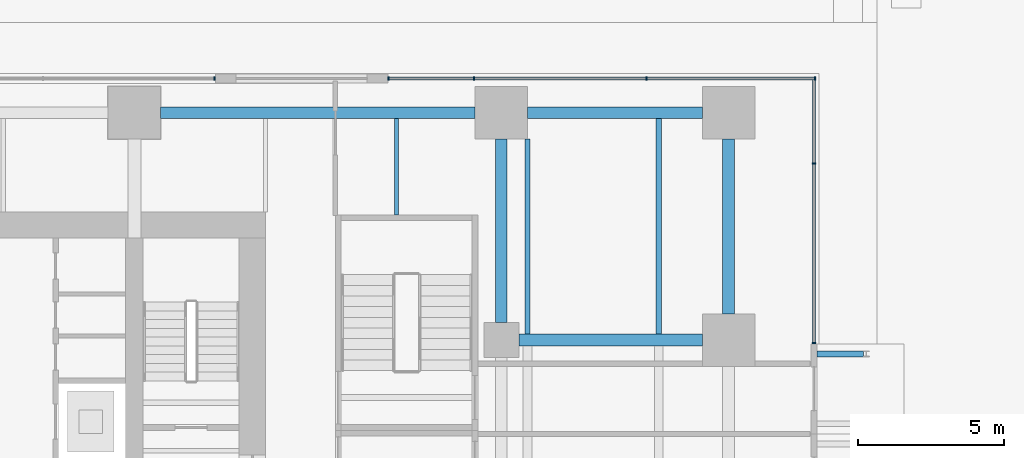
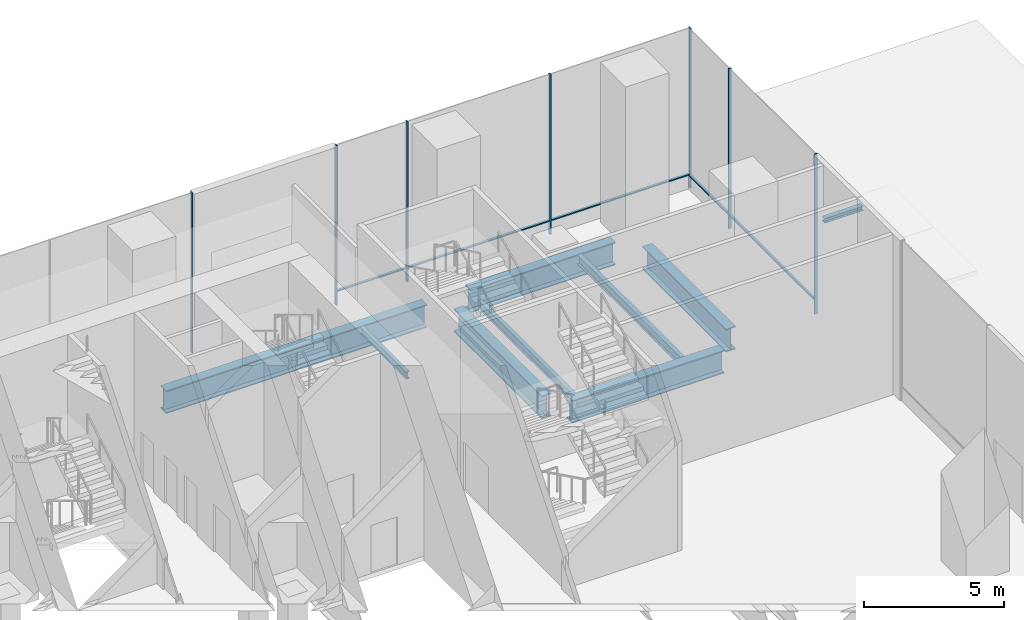
# One storey, part 25 of 41: 12 members, 9 beams, 3 elements without a shape of their own.
"""IFC4 building model written with IfcOpenShell, lengths in metres."""

from ifc_helpers import new_model, si_unit, direction, frame, origin, origin_2d, place, context, subcontext, project, spatial, rectangle, i_section, extrude, material, layer, layer_set, material_profile, profile_set, type_object, element, aggregate, save


model = new_model("IFC4")

# Units and contexts
model_context = context("Model", 3, precision=1e-05, world=origin(), true_north=direction((0.0, 1.0)))
body_context = subcontext(model_context, "Body", "Model", "MODEL_VIEW")
ifc_project = project(units=[si_unit("LENGTHUNIT", "METRE"), si_unit("AREAUNIT", "SQUARE_METRE"), si_unit("VOLUMEUNIT", "CUBIC_METRE"), si_unit("PLANEANGLEUNIT", "RADIAN"), si_unit("MASSUNIT", "GRAM", prefix="KILO")], contexts=[model_context])

# Site, building, storey
site_placement = place(None, origin())
site = spatial("IfcSite", under=ifc_project, at=site_placement, CompositionType="ELEMENT")
building_placement = place(site_placement, origin())
building = spatial("IfcBuilding", under=site, at=building_placement, Name="Rattan Terrace Tower", CompositionType="ELEMENT")
storey_placement = place(building_placement, origin())
storey = spatial("IfcBuildingStorey", under=building, at=storey_placement, Name="L00", CompositionType="ELEMENT", Elevation=0.0)

# Beams
ifc_material_1 = material(Name="Structural steel S355", Category="steel")
ifc_material_profile_1 = material_profile(ifc_material_1, i_section(OverallWidth=0.199951171875, OverallDepth=0.199951171875, WebThickness=0.009033203125, FlangeThickness=0.014892578125, FilletRadius=0.01806640625, at=origin_2d()), Name="HE 200 B")
ifc_profile_set_1 = profile_set([ifc_material_profile_1], Name="Structural steel S355")
beam_type_1 = type_object("IfcBeamType", Name="Canopy beam HE 200 B", PredefinedType="BEAM", material=ifc_profile_set_1)
beam_1_placement = place(storey_placement, frame((36.929931640625, 2.6220703125, 4.300048828125), z_axis=(1.0, 0.0, 0.0), x_axis=(0.0, 1.0, 0.0)))
element("IfcBeam", 1, at=beam_1_placement, inside=storey, type_object=beam_type_1, Name="Canopy beam 016b", PredefinedType="BEAM", context=body_context, shape_type="SweptSolid", body=[
    extrude(i_section(OverallWidth=0.199951171875, OverallDepth=0.199951171875, WebThickness=0.009033203125, FlangeThickness=0.014892578125, FilletRadius=0.01806640625, at=origin_2d()), origin(), (0.0, 0.0, 1.0), 1.60009765625),
])
ifc_material_2 = material(Name="Steel S355", Category="steel")
ifc_material_profile_2 = material_profile(ifc_material_2, i_section(OverallWidth=0.14990234375, OverallDepth=0.300048828125, WebThickness=0.007080078125, FlangeThickness=0.0107421875, FilletRadius=0.014892578125, at=origin_2d()), Name="IPE 300")
ifc_profile_set_2 = profile_set([ifc_material_profile_2], Name="Steel S355")
beam_type_2 = type_object("IfcBeamType", Name="Frame floor beam IPE 300", PredefinedType="JOIST", material=ifc_profile_set_2)
beam_2_placement = place(storey_placement, frame((22.5, 7.39990234375, -0.35009765625), z_axis=(0.0, 1.0, 0.0), x_axis=(-1.0, 0.0, 0.0)))
element("IfcBeam", 2, at=beam_2_placement, inside=storey, type_object=beam_type_2, Name="bm-L00-044", PredefinedType="JOIST", context=body_context, shape_type="SweptSolid", body=[
    extrude(i_section(OverallWidth=0.14990234375, OverallDepth=0.300048828125, WebThickness=0.007080078125, FlangeThickness=0.0107421875, FilletRadius=0.014892578125, at=origin_2d()), origin(), (0.0, 0.0, 1.0), 3.300048828125),
])
ifc_material_3 = material(Name="Steel S355", Category="steel")
ifc_material_profile_3 = material_profile(ifc_material_3, i_section(OverallWidth=0.169921875, OverallDepth=0.360107421875, WebThickness=0.008056640625, FlangeThickness=0.0126953125, FilletRadius=0.01806640625, at=origin_2d()), Name="IPE 360")
ifc_profile_set_3 = profile_set([ifc_material_profile_3], Name="Steel S355")
beam_type_3 = type_object("IfcBeamType", Name="Frame floor beam IPE 360", PredefinedType="JOIST", material=ifc_profile_set_3)
beam_3_placement = place(storey_placement, frame((27.0, 3.300048828125, -0.3798828125), z_axis=(0.0, 1.0, 0.0), x_axis=(-1.0, 0.0, 0.0)))
element("IfcBeam", 3, at=beam_3_placement, inside=storey, type_object=beam_type_3, Name="bm-L00-041", PredefinedType="JOIST", context=body_context, shape_type="SweptSolid", body=[
    extrude(i_section(OverallWidth=0.169921875, OverallDepth=0.360107421875, WebThickness=0.008056640625, FlangeThickness=0.0126953125, FilletRadius=0.01806640625, at=origin_2d()), origin(), (0.0, 0.0, 1.0), 6.699951171875),
])
ifc_material_4 = material(Name="Steel S355", Category="steel")
ifc_material_profile_4 = material_profile(ifc_material_4, i_section(OverallWidth=0.179931640625, OverallDepth=0.39990234375, WebThickness=0.008544921875, FlangeThickness=0.013427734375, FilletRadius=0.02099609375, at=origin_2d()), Name="IPE 400")
ifc_profile_set_4 = profile_set([ifc_material_profile_4], Name="Steel S355")
beam_type_4 = type_object("IfcBeamType", Name="Frame floor beam IPE 400", PredefinedType="JOIST", material=ifc_profile_set_4)
beam_4_placement = place(storey_placement, frame((31.5, 3.300048828125, -0.39990234375), z_axis=(0.0, 1.0, 0.0), x_axis=(-1.0, 0.0, 0.0)))
element("IfcBeam", 4, at=beam_4_placement, inside=storey, type_object=beam_type_4, Name="bm-L00-042", PredefinedType="JOIST", context=body_context, shape_type="SweptSolid", body=[
    extrude(i_section(OverallWidth=0.179931640625, OverallDepth=0.39990234375, WebThickness=0.008544921875, FlangeThickness=0.013427734375, FilletRadius=0.02099609375, at=origin_2d()), origin(), (0.0, 0.0, 1.0), 7.39990234375),
])
ifc_material_5 = material(Name="Steel S460", Category="steel")
ifc_material_profile_5 = material_profile(ifc_material_5, i_section(OverallWidth=0.39990234375, OverallDepth=1.0, WebThickness=0.01806640625, FlangeThickness=0.044921875, at=origin_2d()), Name="PG 1000x400-18-45")
ifc_profile_set_5 = profile_set([ifc_material_profile_5], Name="Steel S460")
beam_type_5 = type_object("IfcBeamType", Name="Frame podium girder PG 1000x400-18-45", PredefinedType="USERDEFINED", material=ifc_profile_set_5)
for number, where, z_axis, x_axis, name in (
    (5, (26.699951171875, 3.10009765625, -0.699951171875), (1.0, 0.0, 0.0), (0.0, 1.0, 0.0), "gdr-L00-041"),
    (6, (26.10009765625, 3.699951171875, -0.699951171875), (0.0, 1.0, 0.0), (-1.0, 0.0, 0.0), "gdr-L00-043"),
):
    element("IfcBeam", number, at=place(storey_placement, frame(where, z_axis=z_axis, x_axis=x_axis)), inside=storey, type_object=beam_type_5, Name=name, ObjectType="PODIUM GIRDER", PredefinedType="USERDEFINED", context=body_context, shape_type="SweptSolid", body=[
        extrude(i_section(OverallWidth=0.39990234375, OverallDepth=1.0, WebThickness=0.01806640625, FlangeThickness=0.044921875, at=origin_2d()), origin(), (0.0, 0.0, 1.0), 6.300048828125),
    ])
beam_5_placement = place(storey_placement, frame((33.89990234375, 4.0, -0.699951171875), z_axis=(0.0, 1.0, 0.0), x_axis=(-1.0, 0.0, 0.0)))
element("IfcBeam", 7, at=beam_5_placement, inside=storey, type_object=beam_type_5, Name="gdr-L00-045", ObjectType="PODIUM GIRDER", PredefinedType="USERDEFINED", context=body_context, shape_type="SweptSolid", body=[
    extrude(i_section(OverallWidth=0.39990234375, OverallDepth=1.0, WebThickness=0.01806640625, FlangeThickness=0.044921875, at=origin_2d()), origin(), (0.0, 0.0, 1.0), 6.0),
])
beam_6_placement = place(storey_placement, frame((14.39990234375, 10.89990234375, -0.699951171875), z_axis=(1.0, 0.0, 0.0), x_axis=(0.0, 1.0, 0.0)))
element("IfcBeam", 8, at=beam_6_placement, inside=storey, type_object=beam_type_5, Name="gdr-L00-050", ObjectType="PODIUM GIRDER", PredefinedType="USERDEFINED", context=body_context, shape_type="SweptSolid", body=[
    extrude(i_section(OverallWidth=0.39990234375, OverallDepth=1.0, WebThickness=0.01806640625, FlangeThickness=0.044921875, at=origin_2d()), origin(), (0.0, 0.0, 1.0), 10.800048828125),
])
beam_7_placement = place(storey_placement, frame((27.0, 10.89990234375, -0.699951171875), z_axis=(1.0, 0.0, 0.0), x_axis=(0.0, 1.0, 0.0)))
element("IfcBeam", 9, at=beam_7_placement, inside=storey, type_object=beam_type_5, Name="gdr-L00-051", ObjectType="PODIUM GIRDER", PredefinedType="USERDEFINED", context=body_context, shape_type="SweptSolid", body=[
    extrude(i_section(OverallWidth=0.39990234375, OverallDepth=1.0, WebThickness=0.01806640625, FlangeThickness=0.044921875, at=origin_2d()), origin(), (0.0, 0.0, 1.0), 6.0),
])

# Curtain wall, members
ifc_material_6 = material(Name="Aluminium and glass", Category="aluminium")
ifc_layer = layer(ifc_material_6, 0.1201171875)
ifc_layer_set = layer_set([ifc_layer], Name="Station Storefront Curtain Wall")
curtain_wall_type = type_object("IfcCurtainWallType", Name="Station Storefront Curtain Wall", PredefinedType="NOTDEFINED", material=ifc_layer_set)
curtain_wall_1_placement = place(storey_placement, origin())
curtain_wall_1 = element("IfcCurtainWall", 10, at=curtain_wall_1_placement, inside=storey, type_object=curtain_wall_type, Name="Storefront curtain wall L00-3", PredefinedType="NOTDEFINED")
ifc_material_7 = material(Name="Aluminium", Category="aluminium")
ifc_material_profile_6 = material_profile(ifc_material_7, rectangle(XDim=0.050048828125, YDim=0.1201171875, at=origin_2d()), Name="Aluminium 50x120")
ifc_profile_set_6 = profile_set([ifc_material_profile_6], Name="Aluminium")
member_type_1 = type_object("IfcMemberType", Name="Storefront CW Mullion 50x120", PredefinedType="MULLION", material=ifc_profile_set_6)
member_1_placement = place(storey_placement, frame((36.830078125, 2.9970703125, 0.0), z_axis=(0.0, 0.0, 1.0), x_axis=(0.0, 1.0, 0.0)))
member_1 = element("IfcMember", 11, at=member_1_placement, type_object=member_type_1, Name="Mullion cwl-L00-003.1", PredefinedType="MULLION", context=body_context, shape_type="SweptSolid", body=[
    extrude(rectangle(XDim=0.050048828125, YDim=0.1201171875, at=origin_2d()), origin(), (0.0, 0.0, 1.0), 7.0),
])
member_2_placement = place(storey_placement, frame((36.830078125, 9.159912109375, 0.0), z_axis=(0.0, 0.0, 1.0), x_axis=(0.0, 1.0, 0.0)))
member_2 = element("IfcMember", 12, at=member_2_placement, type_object=member_type_1, Name="Mullion cwl-L00-003.2", PredefinedType="MULLION", context=body_context, shape_type="SweptSolid", body=[
    extrude(rectangle(XDim=0.050048828125, YDim=0.1201171875, at=origin_2d()), origin(), (0.0, 0.0, 1.0), 7.0),
])

curtain_wall_2_placement = place(storey_placement, origin())
curtain_wall_2 = element("IfcCurtainWall", 13, at=curtain_wall_2_placement, inside=storey, type_object=curtain_wall_type, Name="Storefront curtain wall L00-4", PredefinedType="NOTDEFINED")
member_3_placement = place(storey_placement, frame((36.864990234375, 12.080078125, 0.0), z_axis=(0.0, 0.0, 1.0), x_axis=(-1.0, 0.0, 0.0)))
member_3 = element("IfcMember", 14, at=member_3_placement, type_object=member_type_1, Name="Mullion cwl-L00-004.1", PredefinedType="MULLION", context=body_context, shape_type="SweptSolid", body=[
    extrude(rectangle(XDim=0.050048828125, YDim=0.1201171875, at=origin_2d()), origin(), (0.0, 0.0, 1.0), 7.0),
])
member_4_placement = place(storey_placement, frame((31.080078125, 12.080078125, 0.0), z_axis=(0.0, 0.0, 1.0), x_axis=(-1.0, 0.0, 0.0)))
member_4 = element("IfcMember", 15, at=member_4_placement, type_object=member_type_1, Name="Mullion cwl-L00-004.2", PredefinedType="MULLION", context=body_context, shape_type="SweptSolid", body=[
    extrude(rectangle(XDim=0.050048828125, YDim=0.1201171875, at=origin_2d()), origin(), (0.0, 0.0, 1.0), 7.0),
])
member_5_placement = place(storey_placement, frame((25.159912109375, 12.080078125, 0.0), z_axis=(0.0, 0.0, 1.0), x_axis=(-1.0, 0.0, 0.0)))
member_5 = element("IfcMember", 16, at=member_5_placement, type_object=member_type_1, Name="Mullion cwl-L00-004.3", PredefinedType="MULLION", context=body_context, shape_type="SweptSolid", body=[
    extrude(rectangle(XDim=0.050048828125, YDim=0.1201171875, at=origin_2d()), origin(), (0.0, 0.0, 1.0), 7.0),
])
member_6_placement = place(storey_placement, frame((22.22509765625, 12.080078125, 0.0), z_axis=(0.0, 0.0, 1.0), x_axis=(-1.0, 0.0, 0.0)))
member_6 = element("IfcMember", 17, at=member_6_placement, type_object=member_type_1, Name="Mullion cwl-L00-004.4", PredefinedType="MULLION", context=body_context, shape_type="SweptSolid", body=[
    extrude(rectangle(XDim=0.050048828125, YDim=0.1201171875, at=origin_2d()), origin(), (0.0, 0.0, 1.0), 7.0),
])

# Curtain wall, member
curtain_wall_3_placement = place(storey_placement, origin())
curtain_wall_3 = element("IfcCurtainWall", 18, at=curtain_wall_3_placement, inside=storey, type_object=curtain_wall_type, Name="Storefront curtain wall L00-5", PredefinedType="NOTDEFINED")
member_7_placement = place(storey_placement, frame((16.2548828125, 12.080078125, 0.0), z_axis=(0.0, 0.0, 1.0), x_axis=(-1.0, 0.0, 0.0)))
member_7 = element("IfcMember", 19, at=member_7_placement, type_object=member_type_1, Name="Mullion cwl-L00-005.1", PredefinedType="MULLION", context=body_context, shape_type="SweptSolid", body=[
    extrude(rectangle(XDim=0.050048828125, YDim=0.1201171875, at=origin_2d()), origin(), (0.0, 0.0, 1.0), 7.0),
])
aggregate(curtain_wall_3, [member_7])

# Member
ifc_material_8 = material(Name="Aluminium", Category="aluminium")
ifc_material_profile_7 = material_profile(ifc_material_8, rectangle(XDim=0.10009765625, YDim=0.050048828125, at=origin_2d()), Name="Aluminium 100x50")
ifc_profile_set_7 = profile_set([ifc_material_profile_7], Name="Aluminium")
member_type_2 = type_object("IfcMemberType", Name="Storefront CW Transom 100x50", PredefinedType="USERDEFINED", material=ifc_profile_set_7)
member_8_placement = place(storey_placement, frame((36.830078125, 3.02197265625, 0.60009765625), z_axis=(0.0, 1.0, 0.0), x_axis=(-1.0, 0.0, 0.0)))
member_8 = element("IfcMember", 20, at=member_8_placement, type_object=member_type_2, Name="Transom cwl-L00-003.1", ObjectType="TRANSOM", PredefinedType="USERDEFINED", context=body_context, shape_type="SweptSolid", body=[
    extrude(rectangle(XDim=0.10009765625, YDim=0.050048828125, at=origin_2d()), origin(), (0.0, 0.0, 1.0), 6.113037109375),
])

member_9_placement = place(storey_placement, frame((36.830078125, 9.18505859375, 0.60009765625), z_axis=(0.0, 1.0, 0.0), x_axis=(-1.0, 0.0, 0.0)))
member_9 = element("IfcMember", 21, at=member_9_placement, type_object=member_type_2, Name="Transom cwl-L00-003.2", ObjectType="TRANSOM", PredefinedType="USERDEFINED", context=body_context, shape_type="SweptSolid", body=[
    extrude(rectangle(XDim=0.10009765625, YDim=0.050048828125, at=origin_2d()), origin(), (0.0, 0.0, 1.0), 2.8349609375),
])

aggregate(curtain_wall_1, [member_1, member_2, member_8, member_9])

member_10_placement = place(storey_placement, frame((36.840087890625, 12.080078125, 0.60009765625), z_axis=(-1.0, 0.0, 0.0), x_axis=(0.0, -1.0, 0.0)))
member_10 = element("IfcMember", 22, at=member_10_placement, type_object=member_type_2, Name="Transom cwl-L00-004.1", ObjectType="TRANSOM", PredefinedType="USERDEFINED", context=body_context, shape_type="SweptSolid", body=[
    extrude(rectangle(XDim=0.10009765625, YDim=0.050048828125, at=origin_2d()), origin(), (0.0, 0.0, 1.0), 5.735107421875),
])

member_11_placement = place(storey_placement, frame((31.054931640625, 12.080078125, 0.60009765625), z_axis=(-1.0, 0.0, 0.0), x_axis=(0.0, -1.0, 0.0)))
member_11 = element("IfcMember", 23, at=member_11_placement, type_object=member_type_2, Name="Transom cwl-L00-004.2", ObjectType="TRANSOM", PredefinedType="USERDEFINED", context=body_context, shape_type="SweptSolid", body=[
    extrude(rectangle(XDim=0.10009765625, YDim=0.050048828125, at=origin_2d()), origin(), (0.0, 0.0, 1.0), 5.869873046875),
])

member_12_placement = place(storey_placement, frame((25.135009765625, 12.080078125, 0.60009765625), z_axis=(-1.0, 0.0, 0.0), x_axis=(0.0, -1.0, 0.0)))
member_12 = element("IfcMember", 24, at=member_12_placement, type_object=member_type_2, Name="Transom cwl-L00-004.3", ObjectType="TRANSOM", PredefinedType="USERDEFINED", context=body_context, shape_type="SweptSolid", body=[
    extrude(rectangle(XDim=0.10009765625, YDim=0.050048828125, at=origin_2d()), origin(), (0.0, 0.0, 1.0), 2.885009765625),
])

aggregate(curtain_wall_2, [member_3, member_4, member_5, member_6, member_10, member_11, member_12])

save(model, "model.ifc")
